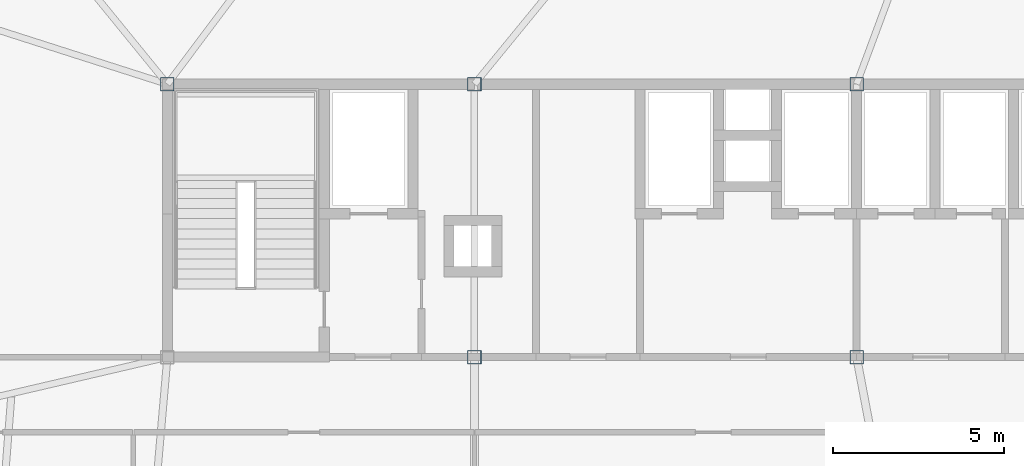
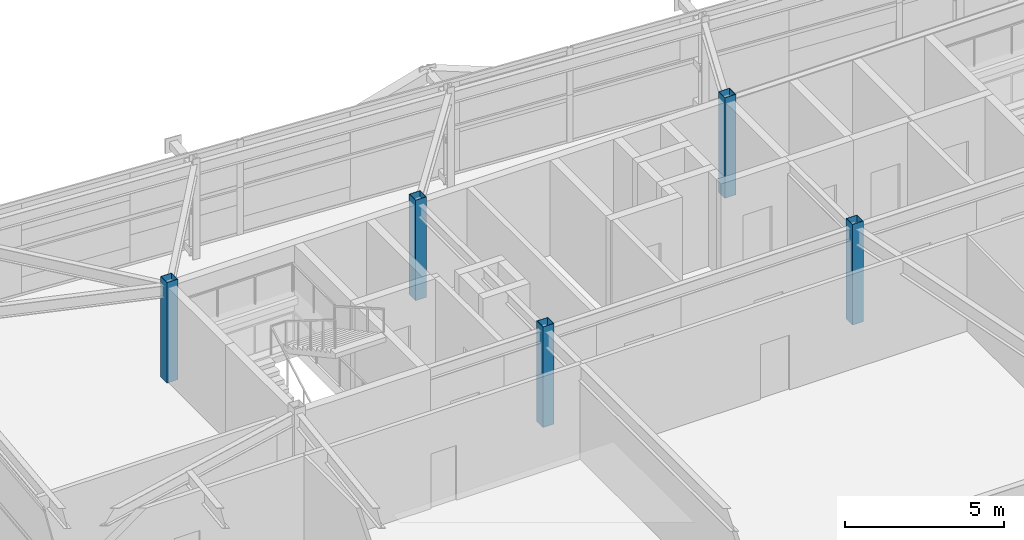
# One storey, part 2 of 36: 5 columns.
"""IFC4 building model written with IfcOpenShell, lengths in metres."""

from ifc_helpers import new_model, si_unit, direction, frame, origin, origin_2d, place, context, subcontext, project, spatial, hollow_rectangle, extrude, source, transform, mapped, material, material_profile, profile_set, type_object, element, save


model = new_model("IFC4")

# Units and contexts
model_context = context("Model", 3, precision=1e-05, world=origin(), true_north=direction((0.0, 1.0)))
body_context = subcontext(model_context, "Body", "Model", "MODEL_VIEW")
ifc_project = project(units=[si_unit("LENGTHUNIT", "METRE"), si_unit("AREAUNIT", "SQUARE_METRE"), si_unit("VOLUMEUNIT", "CUBIC_METRE"), si_unit("PLANEANGLEUNIT", "RADIAN"), si_unit("MASSUNIT", "GRAM", prefix="KILO")], contexts=[model_context])

# Site, building, storey
site_placement = place(None, origin())
site = spatial("IfcSite", under=ifc_project, at=site_placement, CompositionType="ELEMENT")
building_placement = place(site_placement, origin())
building = spatial("IfcBuilding", under=site, at=building_placement, Name="Taldren Reach Tower", CompositionType="ELEMENT")
storey_placement = place(building_placement, frame((0.0, 0.0, 116.550048828125)))
storey = spatial("IfcBuildingStorey", under=building, at=storey_placement, Name="L35", CompositionType="ELEMENT", Elevation=116.550048828125)

# Columns
ifc_material = material(Name="Steel Gr 450 (C450L0)", Category="steel")
ifc_material_profile = material_profile(ifc_material, hollow_rectangle(XDim=0.39990234375, YDim=0.39990234375, WallThickness=0.01611328125, at=origin_2d()), Name="400x400x16.0SHS")
ifc_profile_set = profile_set([ifc_material_profile], Name="Steel Gr 450 (C450L0)")
column_type = type_object("IfcColumnType", Name="COL-SHS400", PredefinedType="COLUMN", material=ifc_profile_set)
shared_shape = source(origin(), body_context, "Body", "SweptSolid", [
    extrude(hollow_rectangle(XDim=0.39990234375, YDim=0.39990234375, WallThickness=0.01611328125, at=origin_2d()), origin(), (0.0, 0.0, 1.0), 3.849853515625),
])
for number, where, z_axis, x_axis, name in (
    (1, (28.0, 24.0, 0.0), (0.0, 0.0, 1.0), (1.0, 0.0, 0.0), "Mega column MC-C2 L35"),
    (2, (39.199951171875, 24.0, 0.0), (0.0, 0.0, 1.0), (1.0, 0.0, 0.0), "Mega column MC-C3 L35"),
    (3, (19.0, 32.0, 0.0), (0.0, 0.0, 1.0), (1.0, 0.0, 0.0), "Mega column MC-C5 L35"),
    (4, (28.0, 32.0, 0.0), (0.0, 0.0, 1.0), (1.0, 0.0, 0.0), "Mega column MC-C6 L35"),
    (5, (39.199951171875, 32.0, 0.0), (0.0, 0.0, 1.0), (1.0, 0.0, 0.0), "Mega column MC-C7 L35"),
):
    element("IfcColumn", number, at=place(storey_placement, frame(where, z_axis=z_axis, x_axis=x_axis)), inside=storey, type_object=column_type, Name=name, PredefinedType="COLUMN", context=body_context, shape_type="MappedRepresentation", body=[
        mapped(shared_shape, transform((0.0, 0.0, 0.0), scale=1.0)),
    ])

save(model, "model.ifc")
